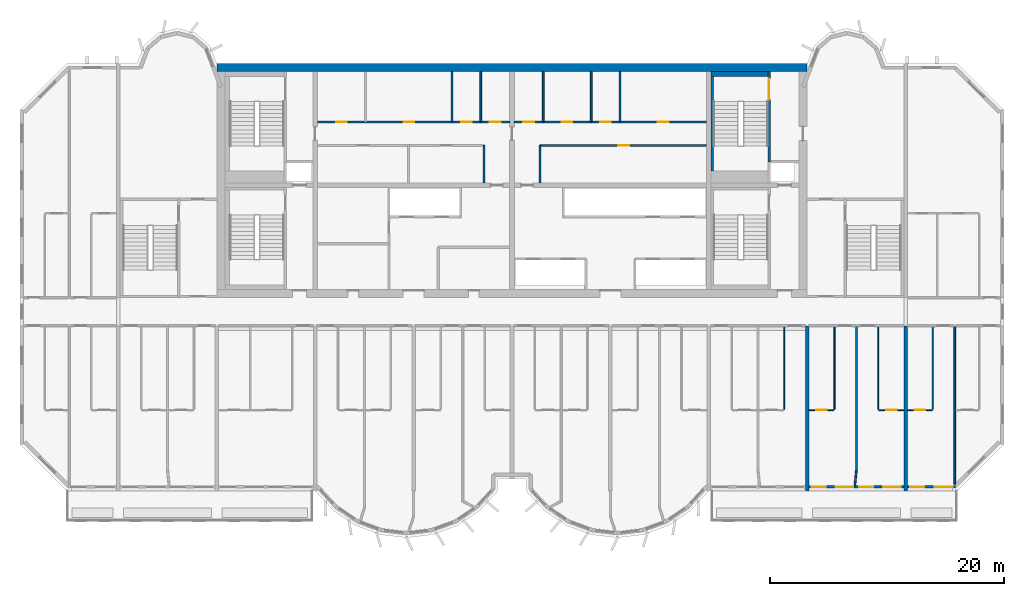
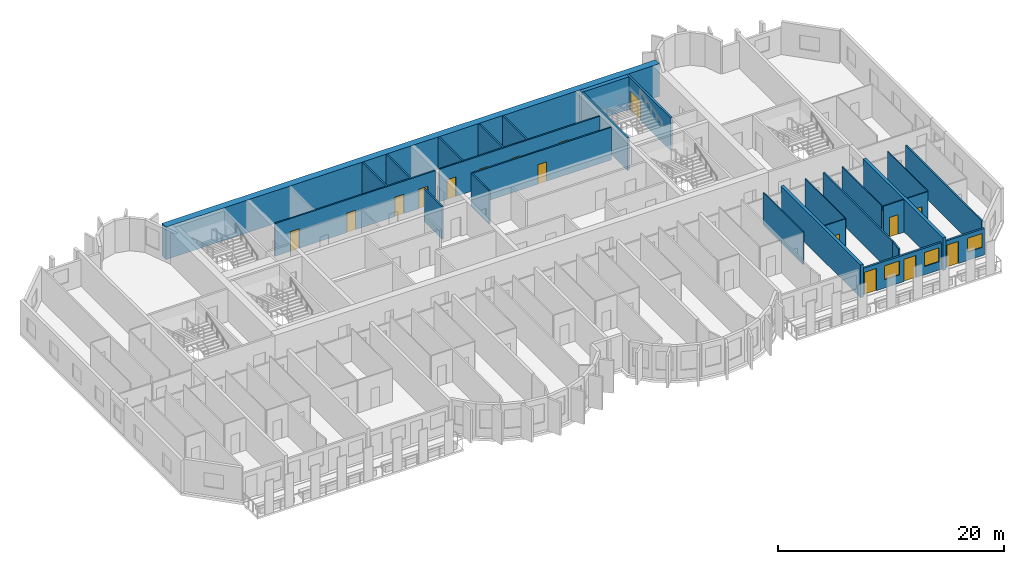
# One storey, part 8 of 13: 28 walls, 16 doors, 3 windows, 19 openings.
"""IFC4 building model written with IfcOpenShell, lengths in metres."""

from ifc_helpers import new_model, si_unit, direction, frame, frame_2d, origin, place, context, subcontext, project, spatial, rectangle, extrude, source, transform, mapped, material, layer, layer_set, type_object, element, fill, save


model = new_model("IFC4")

# Units and contexts
model_context = context("Model", 3, precision=1e-05, world=origin(), true_north=direction((0.0, 1.0)))
body_context = subcontext(model_context, "Body", "Model", "MODEL_VIEW")
ifc_project = project(units=[si_unit("LENGTHUNIT", "METRE"), si_unit("AREAUNIT", "SQUARE_METRE"), si_unit("VOLUMEUNIT", "CUBIC_METRE"), si_unit("PLANEANGLEUNIT", "RADIAN"), si_unit("MASSUNIT", "GRAM", prefix="KILO")], contexts=[model_context])

# Site, building, storey
site_placement = place(None, origin())
site = spatial("IfcSite", under=ifc_project, at=site_placement, CompositionType="ELEMENT")
building_placement = place(site_placement, origin())
building = spatial("IfcBuilding", under=site, at=building_placement, Name="Vanashikhar Sky Hotel", CompositionType="ELEMENT")
storey_placement = place(building_placement, frame((0.0, 0.0, 174.39990234375)))
storey = spatial("IfcBuildingStorey", under=building, at=storey_placement, Name="L42", CompositionType="ELEMENT", Elevation=174.39990234375)

# Walls
ifc_material_1 = material(Name="Concrete M60", Category="concrete")
ifc_layer_1 = layer(ifc_material_1, 0.699951171875)
ifc_layer_set_1 = layer_set([ifc_layer_1], Name="RC core shell wall 700 Concrete M60")
wall_type_1 = type_object("IfcWallType", Name="RC core shell wall 700 Concrete M60", PredefinedType="SHEAR", material=ifc_layer_set_1)
shared_shape_1 = source(origin(), body_context, "Body", "SweptSolid", [
    extrude(rectangle(XDim=50.400146484375, YDim=0.699951171875, at=frame_2d((25.2001953125, 0.0))), origin(), (0.0, 0.0, 1.0), 3.52001953125),
])
wall_1_placement = place(storey_placement, frame((25.199951171875, 41.64990234375, 0.0), z_axis=(0.0, 0.0, 1.0), x_axis=(1.0, 0.0, 0.0)))
element("IfcWall", 1, at=wall_1_placement, inside=storey, type_object=wall_type_1, Name="KW-L42-KN", PredefinedType="SHEAR", context=body_context, shape_type="MappedRepresentation", body=[
    mapped(shared_shape_1, transform((0.0, 0.0, 0.0), scale=1.0)),
])
ifc_layer_2 = layer(ifc_material_1, 0.300048828125)
ifc_layer_set_2 = layer_set([ifc_layer_2], Name="RC shear wall 300 Concrete M60")
wall_type_2 = type_object("IfcWallType", Name="RC shear wall 300 Concrete M60", PredefinedType="SHEAR", material=ifc_layer_set_2)
shared_shape_2 = source(origin(), body_context, "Body", "SweptSolid", [
    extrude(rectangle(XDim=14.10009765625, YDim=0.300048828125, at=frame_2d((7.050048828125, 0.0))), origin(), (0.0, 0.0, 1.0), 3.52001953125),
])
for number, where, z_axis, x_axis, name in (
    (2, (75.60009765625, 5.5, 0.0), (0.0, 0.0, 1.0), (0.0, 1.0, 0.0), "CW-L42-XW10-1"),
    (3, (84.0, 5.5, 0.0), (0.0, 0.0, 1.0), (0.0, 1.0, 0.0), "CW-L42-XW11-1"),
):
    element("IfcWall", number, at=place(storey_placement, frame(where, z_axis=z_axis, x_axis=x_axis)), inside=storey, type_object=wall_type_2, Name=name, PredefinedType="SHEAR", context=body_context, shape_type="MappedRepresentation", body=[
        mapped(shared_shape_2, transform((0.0, 0.0, 0.0), scale=1.0)),
    ])

# Wall, openings, window, door
ifc_material_2 = material(Name="Concrete M50", Category="concrete")
ifc_layer_3 = layer(ifc_material_2, 0.199951171875)
ifc_layer_set_3 = layer_set([ifc_layer_3], Name="Front window wall 200")
wall_type_3 = type_object("IfcWallType", Name="Front window wall 200", PredefinedType="SOLIDWALL", material=ifc_layer_set_3)
shared_shape_3 = source(origin(), body_context, "Body", "SweptSolid", [
    extrude(rectangle(XDim=4.10498046875, YDim=0.199951171875, at=frame_2d((2.052490234375, 0.0))), origin(), (0.0, 0.0, 1.0), 2.8701171875),
])
wall_2_placement = place(storey_placement, frame((84.14990234375, 5.85009765625, 0.0), z_axis=(0.0, 0.0, 1.0), x_axis=(1.0, 0.0, 0.0)))
wall_2 = element("IfcWall", 4, at=wall_2_placement, inside=storey, type_object=wall_type_3, Name="Front window wall", PredefinedType="SOLIDWALL", context=body_context, shape_type="MappedRepresentation", body=[
    mapped(shared_shape_3, transform((0.0, 0.0, 0.0), scale=1.0)),
])
shared_shape_4 = source(origin(), body_context, "Body", "SweptSolid", [
    extrude(rectangle(XDim=1.199951171875, YDim=2.39990234375, at=frame_2d((0.60009765625, 1.199951171875))), frame((0.0, 0.10986328125, 0.0), z_axis=(0.0, -1.0, 0.0), x_axis=(1.0, 0.0, 0.0)), (0.0, 0.0, 1.0), 0.219970703125),
])
opening_1_placement = place(wall_2_placement, frame((0.25, 0.0, 0.0)))
opening_1 = element("IfcOpeningElement", 5, at=opening_1_placement, cuts=wall_2, Name="Opening BD-10", PredefinedType="OPENING", context=body_context, shape_type="MappedRepresentation", body=[
    mapped(shared_shape_4, transform((0.0, 0.0, 0.0), scale=1.0)),
])
shared_shape_5 = source(origin(), body_context, "Body", "SweptSolid", [
    extrude(rectangle(XDim=1.5, YDim=1.5, at=frame_2d((0.75, 0.75))), frame((0.0, 0.10986328125, 0.0), z_axis=(0.0, -1.0, 0.0), x_axis=(1.0, 0.0, 0.0)), (0.0, 0.0, 1.0), 0.219970703125),
])
opening_2_placement = place(wall_2_placement, frame((2.35498046875, 0.0, 0.89990234375)))
opening_2 = element("IfcOpeningElement", 6, at=opening_2_placement, cuts=wall_2, Name="Opening WN-1", PredefinedType="OPENING", context=body_context, shape_type="MappedRepresentation", body=[
    mapped(shared_shape_5, transform((0.0, 0.0, 0.0), scale=1.0)),
])
ifc_material_3 = material(Name="Glass", Category="glass")
window_type = type_object("IfcWindowType", Name="Window 1500 x 1500", PartitioningType="SINGLE_PANEL", PredefinedType="WINDOW", material=ifc_material_3)
shared_shape_6 = source(origin(), body_context, "Body", "SweptSolid", [
    extrude(rectangle(XDim=1.5, YDim=1.5, at=frame_2d((0.75, 0.75))), frame((0.0, 0.030029296875, 0.0), z_axis=(0.0, -1.0, 0.0), x_axis=(1.0, 0.0, 0.0)), (0.0, 0.0, 1.0), 0.06005859375),
])
window_1_placement = place(opening_2_placement, origin())
window_1 = element("IfcWindow", 7, at=window_1_placement, inside=storey, type_object=window_type, Name="Window WN-1", OverallHeight=1.5, OverallWidth=1.5, PartitioningType="SINGLE_PANEL", PredefinedType="WINDOW", context=body_context, shape_type="MappedRepresentation", body=[
    mapped(shared_shape_6, transform((0.0, 0.0, 0.0), scale=1.0)),
])
fill(opening_2, window_1)
ifc_material_4 = material(Name="Aluminium", Category="aluminium")
door_type_1 = type_object("IfcDoorType", Name="Balcony sliding door 1200 x 2400", OperationType="NOTDEFINED", PredefinedType="DOOR", material=ifc_material_4)
shared_shape_7 = source(origin(), body_context, "Body", "SweptSolid", [
    extrude(rectangle(XDim=1.199951171875, YDim=2.39990234375, at=frame_2d((0.60009765625, 1.199951171875))), frame((0.0, 0.02490234375, 0.0), z_axis=(0.0, -1.0, 0.0), x_axis=(1.0, 0.0, 0.0)), (0.0, 0.0, 1.0), 0.050048828125),
])
door_1_placement = place(opening_1_placement, origin())
door_1 = element("IfcDoor", 8, at=door_1_placement, inside=storey, type_object=door_type_1, Name="Balcony sliding door", OperationType="SLIDING_TO_RIGHT", OverallHeight=2.39990234375, OverallWidth=1.199951171875, PredefinedType="DOOR", context=body_context, shape_type="MappedRepresentation", body=[
    mapped(shared_shape_7, transform((0.0, 0.0, 0.0), scale=1.0)),
])
fill(opening_1, door_1)

# Wall, openings, windows, doors
shared_shape_8 = source(origin(), body_context, "Body", "SweptSolid", [
    extrude(rectangle(XDim=8.10009765625, YDim=0.199951171875, at=frame_2d((4.050048828125, 0.0))), origin(), (0.0, 0.0, 1.0), 2.8701171875),
])
wall_3_placement = place(storey_placement, frame((75.75, 5.85009765625, 0.0), z_axis=(0.0, 0.0, 1.0), x_axis=(1.0, 0.0, 0.0)))
wall_3 = element("IfcWall", 9, at=wall_3_placement, inside=storey, type_object=wall_type_3, Name="Front window wall", PredefinedType="SOLIDWALL", context=body_context, shape_type="MappedRepresentation", body=[
    mapped(shared_shape_8, transform((0.0, 0.0, 0.0), scale=1.0)),
])
opening_3_placement = place(wall_3_placement, frame((0.25, 0.0, 0.0)))
opening_3 = element("IfcOpeningElement", 10, at=opening_3_placement, cuts=wall_3, Name="Opening BD-08", PredefinedType="OPENING", context=body_context, shape_type="MappedRepresentation", body=[
    mapped(shared_shape_4, transform((0.0, 0.0, 0.0), scale=1.0)),
])
opening_4_placement = place(wall_3_placement, frame((2.300048828125, 0.0, 0.89990234375)))
opening_4 = element("IfcOpeningElement", 11, at=opening_4_placement, cuts=wall_3, Name="Opening WN-1", PredefinedType="OPENING", context=body_context, shape_type="MappedRepresentation", body=[
    mapped(shared_shape_5, transform((0.0, 0.0, 0.0), scale=1.0)),
])
opening_5_placement = place(wall_3_placement, frame((4.300048828125, 0.0, 0.0)))
opening_5 = element("IfcOpeningElement", 12, at=opening_5_placement, cuts=wall_3, Name="Opening BD-09", PredefinedType="OPENING", context=body_context, shape_type="MappedRepresentation", body=[
    mapped(shared_shape_4, transform((0.0, 0.0, 0.0), scale=1.0)),
])
opening_6_placement = place(wall_3_placement, frame((6.35009765625, 0.0, 0.89990234375)))
opening_6 = element("IfcOpeningElement", 13, at=opening_6_placement, cuts=wall_3, Name="Opening WN-1", PredefinedType="OPENING", context=body_context, shape_type="MappedRepresentation", body=[
    mapped(shared_shape_5, transform((0.0, 0.0, 0.0), scale=1.0)),
])
window_2_placement = place(opening_4_placement, origin())
window_2 = element("IfcWindow", 14, at=window_2_placement, inside=storey, type_object=window_type, Name="Window WN-1", OverallHeight=1.5, OverallWidth=1.5, PartitioningType="SINGLE_PANEL", PredefinedType="WINDOW", context=body_context, shape_type="MappedRepresentation", body=[
    mapped(shared_shape_6, transform((0.0, 0.0, 0.0), scale=1.0)),
])
fill(opening_4, window_2)
window_3_placement = place(opening_6_placement, origin())
window_3 = element("IfcWindow", 15, at=window_3_placement, inside=storey, type_object=window_type, Name="Window WN-1", OverallHeight=1.5, OverallWidth=1.5, PartitioningType="SINGLE_PANEL", PredefinedType="WINDOW", context=body_context, shape_type="MappedRepresentation", body=[
    mapped(shared_shape_6, transform((0.0, 0.0, 0.0), scale=1.0)),
])
fill(opening_6, window_3)
door_2_placement = place(opening_3_placement, origin())
door_2 = element("IfcDoor", 16, at=door_2_placement, inside=storey, type_object=door_type_1, Name="Balcony sliding door", OperationType="SLIDING_TO_RIGHT", OverallHeight=2.39990234375, OverallWidth=1.199951171875, PredefinedType="DOOR", context=body_context, shape_type="MappedRepresentation", body=[
    mapped(shared_shape_7, transform((0.0, 0.0, 0.0), scale=1.0)),
])
fill(opening_3, door_2)
door_3_placement = place(opening_5_placement, origin())
door_3 = element("IfcDoor", 17, at=door_3_placement, inside=storey, type_object=door_type_1, Name="Balcony sliding door", OperationType="SLIDING_TO_LEFT", OverallHeight=2.39990234375, OverallWidth=1.199951171875, PredefinedType="DOOR", context=body_context, shape_type="MappedRepresentation", body=[
    mapped(shared_shape_7, transform((0.0, 0.0, 0.0), scale=1.0)),
])
fill(opening_5, door_3)

# Walls
ifc_layer_4 = layer(ifc_material_2, 0.199951171875)
ifc_layer_set_4 = layer_set([ifc_layer_4], Name="Stair infill wall 200")
wall_type_4 = type_object("IfcWallType", Name="Stair infill wall 200", PredefinedType="SOLIDWALL", material=ifc_layer_set_4)
shared_shape_9 = source(origin(), body_context, "Body", "SweptSolid", [
    extrude(rectangle(XDim=8.099853515625, YDim=0.199951171875, at=frame_2d((4.0498046875, 0.0))), origin(), (0.0, 0.0, 1.0), 3.52001953125),
])
wall_4_placement = place(storey_placement, frame((67.5, 32.800048828125, 0.0), z_axis=(0.0, 0.0, 1.0), x_axis=(0.0, 1.0, 0.0)))
element("IfcWall", 18, at=wall_4_placement, inside=storey, type_object=wall_type_4, Name="Stair infill wall 200", PredefinedType="SOLIDWALL", context=body_context, shape_type="MappedRepresentation", body=[
    mapped(shared_shape_9, transform((0.0, 0.0, 0.0), scale=1.0)),
])
ifc_material_5 = material(Name="Gypsum board partition")
ifc_layer_5 = layer(ifc_material_5, 0.14990234375)
ifc_layer_set_5 = layer_set([ifc_layer_5], Name="Service partition 150")
wall_type_5 = type_object("IfcWallType", Name="Service partition 150", PredefinedType="PARTITIONING", material=ifc_layer_set_5)
shared_shape_10 = source(origin(), body_context, "Body", "SweptSolid", [
    extrude(rectangle(XDim=3.199951171875, YDim=0.14990234375, at=frame_2d((1.60009765625, 0.0))), origin(), (0.0, 0.0, 1.0), 3.52001953125),
])
for number, where, z_axis, x_axis, name in (
    (19, (48.0, 31.800048828125, 0.0), (0.0, 0.0, 1.0), (0.0, 1.0, 0.0), "Service partition 150"),
    (20, (52.800048828125, 31.800048828125, 0.0), (0.0, 0.0, 1.0), (0.0, 1.0, 0.0), "Service partition 150"),
):
    element("IfcWall", number, at=place(storey_placement, frame(where, z_axis=z_axis, x_axis=x_axis)), inside=storey, type_object=wall_type_5, Name=name, PredefinedType="PARTITIONING", context=body_context, shape_type="MappedRepresentation", body=[
        mapped(shared_shape_10, transform((0.0, 0.0, 0.0), scale=1.0)),
    ])

# Wall, opening, door
shared_shape_11 = source(origin(), body_context, "Body", "SweptSolid", [
    extrude(rectangle(XDim=14.199951171875, YDim=0.14990234375, at=frame_2d((7.10009765625, 0.0))), origin(), (0.0, 0.0, 1.0), 3.52001953125),
])
wall_5_placement = place(storey_placement, frame((67.0, 35.0, 0.0), z_axis=(0.0, 0.0, 1.0), x_axis=(-1.0, 0.0, 0.0)))
wall_5 = element("IfcWall", 21, at=wall_5_placement, inside=storey, type_object=wall_type_5, Name="Service partition 150", PredefinedType="PARTITIONING", context=body_context, shape_type="MappedRepresentation", body=[
    mapped(shared_shape_11, transform((0.0, 0.0, 0.0), scale=1.0)),
])
shared_shape_12 = source(origin(), body_context, "Body", "SweptSolid", [
    extrude(rectangle(XDim=0.89990234375, YDim=2.10009765625, at=frame_2d((0.449951171875, 1.050048828125))), frame((0.0, 0.0849609375, 0.0), z_axis=(0.0, -1.0, 0.0), x_axis=(1.0, 0.0, 0.0)), (0.0, 0.0, 1.0), 0.169921875),
])
opening_7_placement = place(wall_5_placement, frame((6.612060546875, 0.0, 0.0)))
opening_7 = element("IfcOpeningElement", 22, at=opening_7_placement, cuts=wall_5, Name="Opening DC-4-A", PredefinedType="OPENING", context=body_context, shape_type="MappedRepresentation", body=[
    mapped(shared_shape_12, transform((0.0, 0.0, 0.0), scale=1.0)),
])
ifc_material_6 = material(Name="Steel", Category="steel")
door_type_2 = type_object("IfcDoorType", Name="Service door 900 FD60", OperationType="NOTDEFINED", PredefinedType="DOOR", material=ifc_material_6)
shared_shape_13 = source(origin(), body_context, "Body", "SweptSolid", [
    extrude(rectangle(XDim=0.89990234375, YDim=2.10009765625, at=frame_2d((0.449951171875, 1.050048828125))), frame((0.0, 0.02490234375, 0.0), z_axis=(0.0, -1.0, 0.0), x_axis=(1.0, 0.0, 0.0)), (0.0, 0.0, 1.0), 0.050048828125),
])
door_4_placement = place(opening_7_placement, origin())
door_4 = element("IfcDoor", 23, at=door_4_placement, inside=storey, type_object=door_type_2, Name="Service door 900 FD60", OperationType="SINGLE_SWING_LEFT", OverallHeight=2.10009765625, OverallWidth=0.89990234375, PredefinedType="DOOR", context=body_context, shape_type="MappedRepresentation", body=[
    mapped(shared_shape_13, transform((0.0, 0.0, 0.0), scale=1.0)),
])
fill(opening_7, door_4)

# Wall, openings, doors
shared_shape_14 = source(origin(), body_context, "Body", "SweptSolid", [
    extrude(rectangle(XDim=16.39990234375, YDim=0.14990234375, at=frame_2d((8.199951171875, 0.0))), origin(), (0.0, 0.0, 1.0), 3.52001953125),
])
wall_6_placement = place(storey_placement, frame((33.800048828125, 37.0, 0.0), z_axis=(0.0, 0.0, 1.0), x_axis=(1.0, 0.0, 0.0)))
wall_6 = element("IfcWall", 24, at=wall_6_placement, inside=storey, type_object=wall_type_5, Name="Service partition 150", PredefinedType="PARTITIONING", context=body_context, shape_type="MappedRepresentation", body=[
    mapped(shared_shape_14, transform((0.0, 0.0, 0.0), scale=1.0)),
])
opening_8_placement = place(wall_6_placement, frame((1.60009765625, 0.0, 0.0)))
opening_8 = element("IfcOpeningElement", 25, at=opening_8_placement, cuts=wall_6, Name="Opening DC-4-A", PredefinedType="OPENING", context=body_context, shape_type="MappedRepresentation", body=[
    mapped(shared_shape_12, transform((0.0, 0.0, 0.0), scale=1.0)),
])
opening_9_placement = place(wall_6_placement, frame((7.340087890625, 0.0, 0.0)))
opening_9 = element("IfcOpeningElement", 26, at=opening_9_placement, cuts=wall_6, Name="Opening DC-4-A", PredefinedType="OPENING", context=body_context, shape_type="MappedRepresentation", body=[
    mapped(shared_shape_12, transform((0.0, 0.0, 0.0), scale=1.0)),
])
opening_10_placement = place(wall_6_placement, frame((12.260009765625, 0.0, 0.0)))
opening_10 = element("IfcOpeningElement", 27, at=opening_10_placement, cuts=wall_6, Name="Opening DC-4-A", PredefinedType="OPENING", context=body_context, shape_type="MappedRepresentation", body=[
    mapped(shared_shape_12, transform((0.0, 0.0, 0.0), scale=1.0)),
])
opening_11_placement = place(wall_6_placement, frame((14.719970703125, 0.0, 0.0)))
opening_11 = element("IfcOpeningElement", 28, at=opening_11_placement, cuts=wall_6, Name="Opening DC-4-A", PredefinedType="OPENING", context=body_context, shape_type="MappedRepresentation", body=[
    mapped(shared_shape_12, transform((0.0, 0.0, 0.0), scale=1.0)),
])
door_5_placement = place(opening_8_placement, origin())
door_5 = element("IfcDoor", 29, at=door_5_placement, inside=storey, type_object=door_type_2, Name="Service door 900 FD60", OperationType="SINGLE_SWING_RIGHT", OverallHeight=2.10009765625, OverallWidth=0.89990234375, PredefinedType="DOOR", context=body_context, shape_type="MappedRepresentation", body=[
    mapped(shared_shape_13, transform((0.0, 0.0, 0.0), scale=1.0)),
])
fill(opening_8, door_5)
door_6_placement = place(opening_9_placement, origin())
door_6 = element("IfcDoor", 30, at=door_6_placement, inside=storey, type_object=door_type_2, Name="Service door 900 FD60", OperationType="SINGLE_SWING_LEFT", OverallHeight=2.10009765625, OverallWidth=0.89990234375, PredefinedType="DOOR", context=body_context, shape_type="MappedRepresentation", body=[
    mapped(shared_shape_13, transform((0.0, 0.0, 0.0), scale=1.0)),
])
fill(opening_9, door_6)
door_7_placement = place(opening_10_placement, origin())
door_7 = element("IfcDoor", 31, at=door_7_placement, inside=storey, type_object=door_type_2, Name="Service door 900 FD60", OperationType="SINGLE_SWING_LEFT", OverallHeight=2.10009765625, OverallWidth=0.89990234375, PredefinedType="DOOR", context=body_context, shape_type="MappedRepresentation", body=[
    mapped(shared_shape_13, transform((0.0, 0.0, 0.0), scale=1.0)),
])
fill(opening_10, door_7)
door_8_placement = place(opening_11_placement, origin())
door_8 = element("IfcDoor", 32, at=door_8_placement, inside=storey, type_object=door_type_2, Name="Service door 900 FD60", OperationType="SINGLE_SWING_LEFT", OverallHeight=2.10009765625, OverallWidth=0.89990234375, PredefinedType="DOOR", context=body_context, shape_type="MappedRepresentation", body=[
    mapped(shared_shape_13, transform((0.0, 0.0, 0.0), scale=1.0)),
])
fill(opening_11, door_8)

wall_7_placement = place(storey_placement, frame((67.0, 37.0, 0.0), z_axis=(0.0, 0.0, 1.0), x_axis=(-1.0, 0.0, 0.0)))
wall_7 = element("IfcWall", 33, at=wall_7_placement, inside=storey, type_object=wall_type_5, Name="Service partition 150", PredefinedType="PARTITIONING", context=body_context, shape_type="MappedRepresentation", body=[
    mapped(shared_shape_14, transform((0.0, 0.0, 0.0), scale=1.0)),
])
opening_12_placement = place(wall_7_placement, frame((3.239990234375, 0.0, 0.0)))
opening_12 = element("IfcOpeningElement", 34, at=opening_12_placement, cuts=wall_7, Name="Opening DC-4-A", PredefinedType="OPENING", context=body_context, shape_type="MappedRepresentation", body=[
    mapped(shared_shape_12, transform((0.0, 0.0, 0.0), scale=1.0)),
])
opening_13_placement = place(wall_7_placement, frame((8.159912109375, 0.0, 0.0)))
opening_13 = element("IfcOpeningElement", 35, at=opening_13_placement, cuts=wall_7, Name="Opening DC-4-A", PredefinedType="OPENING", context=body_context, shape_type="MappedRepresentation", body=[
    mapped(shared_shape_12, transform((0.0, 0.0, 0.0), scale=1.0)),
])
opening_14_placement = place(wall_7_placement, frame((11.43994140625, 0.0, 0.0)))
opening_14 = element("IfcOpeningElement", 36, at=opening_14_placement, cuts=wall_7, Name="Opening DC-4-A", PredefinedType="OPENING", context=body_context, shape_type="MappedRepresentation", body=[
    mapped(shared_shape_12, transform((0.0, 0.0, 0.0), scale=1.0)),
])
opening_15_placement = place(wall_7_placement, frame((14.719970703125, 0.0, 0.0)))
opening_15 = element("IfcOpeningElement", 37, at=opening_15_placement, cuts=wall_7, Name="Opening DC-4-A", PredefinedType="OPENING", context=body_context, shape_type="MappedRepresentation", body=[
    mapped(shared_shape_12, transform((0.0, 0.0, 0.0), scale=1.0)),
])
door_9_placement = place(opening_12_placement, origin())
door_9 = element("IfcDoor", 38, at=door_9_placement, inside=storey, type_object=door_type_2, Name="Service door 900 FD60", OperationType="SINGLE_SWING_RIGHT", OverallHeight=2.10009765625, OverallWidth=0.89990234375, PredefinedType="DOOR", context=body_context, shape_type="MappedRepresentation", body=[
    mapped(shared_shape_13, transform((0.0, 0.0, 0.0), scale=1.0)),
])
fill(opening_12, door_9)
door_10_placement = place(opening_13_placement, origin())
door_10 = element("IfcDoor", 39, at=door_10_placement, inside=storey, type_object=door_type_2, Name="Service door 900 FD60", OperationType="SINGLE_SWING_RIGHT", OverallHeight=2.10009765625, OverallWidth=0.89990234375, PredefinedType="DOOR", context=body_context, shape_type="MappedRepresentation", body=[
    mapped(shared_shape_13, transform((0.0, 0.0, 0.0), scale=1.0)),
])
fill(opening_13, door_10)
door_11_placement = place(opening_14_placement, origin())
door_11 = element("IfcDoor", 40, at=door_11_placement, inside=storey, type_object=door_type_2, Name="Service door 900 FD60", OperationType="SINGLE_SWING_RIGHT", OverallHeight=2.10009765625, OverallWidth=0.89990234375, PredefinedType="DOOR", context=body_context, shape_type="MappedRepresentation", body=[
    mapped(shared_shape_13, transform((0.0, 0.0, 0.0), scale=1.0)),
])
fill(opening_14, door_11)
door_12_placement = place(opening_15_placement, origin())
door_12 = element("IfcDoor", 41, at=door_12_placement, inside=storey, type_object=door_type_2, Name="Service door 900 FD60", OperationType="SINGLE_SWING_RIGHT", OverallHeight=2.10009765625, OverallWidth=0.89990234375, PredefinedType="DOOR", context=body_context, shape_type="MappedRepresentation", body=[
    mapped(shared_shape_13, transform((0.0, 0.0, 0.0), scale=1.0)),
])
fill(opening_15, door_12)

# Walls
shared_shape_15 = source(origin(), body_context, "Body", "SweptSolid", [
    extrude(rectangle(XDim=4.300048828125, YDim=0.14990234375, at=frame_2d((2.14990234375, 0.0))), origin(), (0.0, 0.0, 1.0), 3.52001953125),
])
for number, where, z_axis, x_axis, name in (
    (42, (45.280029296875, 37.0, 0.0), (0.0, 0.0, 1.0), (0.0, 1.0, 0.0), "Service partition 150"),
    (43, (47.739990234375, 37.0, 0.0), (0.0, 0.0, 1.0), (0.0, 1.0, 0.0), "Service partition 150"),
    (44, (59.6201171875, 37.0, 0.0), (0.0, 0.0, 1.0), (0.0, 1.0, 0.0), "Service partition 150"),
    (45, (57.159912109375, 37.0, 0.0), (0.0, 0.0, 1.0), (0.0, 1.0, 0.0), "Service partition 150"),
    (46, (53.06005859375, 37.0, 0.0), (0.0, 0.0, 1.0), (0.0, 1.0, 0.0), "Service partition 150"),
):
    element("IfcWall", number, at=place(storey_placement, frame(where, z_axis=z_axis, x_axis=x_axis)), inside=storey, type_object=wall_type_5, Name=name, PredefinedType="PARTITIONING", context=body_context, shape_type="MappedRepresentation", body=[
        mapped(shared_shape_15, transform((0.0, 0.0, 0.0), scale=1.0)),
    ])

# Wall, opening, door
ifc_layer_6 = layer(ifc_material_2, 0.199951171875)
ifc_layer_set_6 = layer_set([ifc_layer_6], Name="Stair wall 200")
wall_type_6 = type_object("IfcWallType", Name="Stair wall 200", PredefinedType="SOLIDWALL", material=ifc_layer_set_6)
shared_shape_16 = source(origin(), body_context, "Body", "SweptSolid", [
    extrude(rectangle(XDim=7.699951171875, YDim=0.199951171875, at=frame_2d((3.85009765625, 0.0))), origin(), (0.0, 0.0, 1.0), 3.52001953125),
])
wall_8_placement = place(storey_placement, frame((72.35009765625, 33.60009765625, 0.0), z_axis=(0.0, 0.0, 1.0), x_axis=(0.0, 1.0, 0.0)))
wall_8 = element("IfcWall", 47, at=wall_8_placement, inside=storey, type_object=wall_type_6, Name="Stair wall 200", PredefinedType="SOLIDWALL", context=body_context, shape_type="MappedRepresentation", body=[
    mapped(shared_shape_16, transform((0.0, 0.0, 0.0), scale=1.0)),
])
shared_shape_17 = source(origin(), body_context, "Body", "SweptSolid", [
    extrude(rectangle(XDim=1.800048828125, YDim=2.10009765625, at=frame_2d((0.89990234375, 1.050048828125))), frame((0.0, 0.10986328125, 0.0), z_axis=(0.0, -1.0, 0.0), x_axis=(1.0, 0.0, 0.0)), (0.0, 0.0, 1.0), 0.219970703125),
])
opening_16_placement = place(wall_8_placement, frame((5.300048828125, 0.0, 0.0)))
opening_16 = element("IfcOpeningElement", 48, at=opening_16_placement, cuts=wall_8, Name="Opening DC-1-A", PredefinedType="OPENING", context=body_context, shape_type="MappedRepresentation", body=[
    mapped(shared_shape_17, transform((0.0, 0.0, 0.0), scale=1.0)),
])
door_type_3 = type_object("IfcDoorType", Name="Stair door 1800 FD120", OperationType="NOTDEFINED", PredefinedType="DOOR", material=ifc_material_6)
shared_shape_18 = source(origin(), body_context, "Body", "SweptSolid", [
    extrude(rectangle(XDim=1.800048828125, YDim=2.10009765625, at=frame_2d((0.89990234375, 1.050048828125))), frame((0.0, 0.02490234375, 0.0), z_axis=(0.0, -1.0, 0.0), x_axis=(1.0, 0.0, 0.0)), (0.0, 0.0, 1.0), 0.050048828125),
])
door_13_placement = place(opening_16_placement, origin())
door_13 = element("IfcDoor", 49, at=door_13_placement, inside=storey, type_object=door_type_3, Name="Stair door 1800 FD120", OperationType="SINGLE_SWING_RIGHT", OverallHeight=2.10009765625, OverallWidth=1.800048828125, PredefinedType="DOOR", context=body_context, shape_type="MappedRepresentation", body=[
    mapped(shared_shape_18, transform((0.0, 0.0, 0.0), scale=1.0)),
])
fill(opening_16, door_13)

# Walls
ifc_layer_7 = layer(ifc_material_2, 0.39990234375)
ifc_layer_set_7 = layer_set([ifc_layer_7], Name="Stair infill wall 400")
wall_type_7 = type_object("IfcWallType", Name="Stair infill wall 400", PredefinedType="SOLIDWALL", material=ifc_layer_set_7)
shared_shape_19 = source(origin(), body_context, "Body", "SweptSolid", [
    extrude(rectangle(XDim=4.85009765625, YDim=0.39990234375, at=frame_2d((2.425048828125, 0.0))), origin(), (0.0, 0.0, 1.0), 3.52001953125),
])
wall_9_placement = place(storey_placement, frame((67.39990234375, 41.10009765625, 0.0), z_axis=(0.0, 0.0, 1.0), x_axis=(1.0, 0.0, 0.0)))
element("IfcWall", 50, at=wall_9_placement, inside=storey, type_object=wall_type_7, Name="Stair infill wall 400", PredefinedType="SOLIDWALL", context=body_context, shape_type="MappedRepresentation", body=[
    mapped(shared_shape_19, transform((0.0, 0.0, 0.0), scale=1.0)),
])
ifc_material_7 = material(Name="Gypsum plasterboard partition")
ifc_layer_8 = layer(ifc_material_7, 0.10009765625)
ifc_layer_set_8 = layer_set([ifc_layer_8], Name="Wet room partition 100")
wall_type_8 = type_object("IfcWallType", Name="Wet room partition 100", PredefinedType="PARTITIONING", material=ifc_layer_set_8)
shared_shape_20 = source(origin(), body_context, "Body", "SweptSolid", [
    extrude(rectangle(XDim=7.0498046875, YDim=0.10009765625, at=frame_2d((3.52490234375, 0.0))), origin(), (0.0, 0.0, 1.0), 3.52001953125),
])
for number, where, z_axis, x_axis, name in (
    (51, (73.64990234375, 12.47509765625, 0.0), (0.0, 0.0, 1.0), (0.0, 1.0, 0.0), "W-L42-PW051"),
    (52, (77.925048828125, 12.47509765625, 0.0), (0.0, 0.0, 1.0), (0.0, 1.0, 0.0), "W-L42-PW055"),
    (53, (81.675048828125, 12.47509765625, 0.0), (0.0, 0.0, 1.0), (0.0, 1.0, 0.0), "W-L42-PW058"),
    (54, (86.324951171875, 12.47509765625, 0.0), (0.0, 0.0, 1.0), (0.0, 1.0, 0.0), "W-L42-PW062"),
):
    element("IfcWall", number, at=place(storey_placement, frame(where, z_axis=z_axis, x_axis=x_axis)), inside=storey, type_object=wall_type_8, Name=name, PredefinedType="PARTITIONING", context=body_context, shape_type="MappedRepresentation", body=[
        mapped(shared_shape_20, transform((0.0, 0.0, 0.0), scale=1.0)),
    ])
ifc_layer_9 = layer(ifc_material_7, 0.14990234375)
ifc_layer_set_9 = layer_set([ifc_layer_9], Name="Corridor and demising partition 150")
wall_type_9 = type_object("IfcWallType", Name="Corridor and demising partition 150", PredefinedType="PARTITIONING", material=ifc_layer_set_9)
shared_shape_21 = source(origin(), body_context, "Body", "SweptSolid", [
    extrude(rectangle(XDim=13.447021484375, YDim=0.14990234375, at=frame_2d((6.7236328125, 0.0))), origin(), (0.0, 0.0, 1.0), 3.52001953125),
])
wall_10_placement = place(storey_placement, frame((88.199951171875, 6.077880859375, 0.0), z_axis=(0.0, 0.0, 1.0), x_axis=(0.0, 1.0, 0.0)))
element("IfcWall", 55, at=wall_10_placement, inside=storey, type_object=wall_type_9, Name="W-L42-PW068", PredefinedType="PARTITIONING", context=body_context, shape_type="MappedRepresentation", body=[
    mapped(shared_shape_21, transform((0.0, 0.0, 0.0), scale=1.0)),
])
shared_shape_22 = source(origin(), body_context, "Body", "SweptSolid", [
    extrude(rectangle(XDim=12.27490234375, YDim=0.14990234375, at=frame_2d((6.137451171875, 0.0))), origin(), (0.0, 0.0, 1.0), 3.52001953125),
])
wall_11_placement = place(storey_placement, frame((79.800048828125, 7.25, 0.0), z_axis=(0.0, 0.0, 1.0), x_axis=(0.0, 1.0, 0.0)))
element("IfcWall", 56, at=wall_11_placement, inside=storey, type_object=wall_type_9, Name="W-L42-PW061", PredefinedType="PARTITIONING", context=body_context, shape_type="MappedRepresentation", body=[
    mapped(shared_shape_22, transform((0.0, 0.0, 0.0), scale=1.0)),
])
shared_shape_23 = source(origin(), body_context, "Body", "SweptSolid", [
    extrude(rectangle(XDim=1.306640625, YDim=0.14990234375, at=frame_2d((0.6533203125, 0.0))), origin(), (0.0, 0.0, 1.0), 3.52001953125),
])
wall_12_placement = place(storey_placement, frame((79.669921875, 5.949951171875, 0.0), z_axis=(0.0, 0.0, 1.0), x_axis=(0.099596223396, 0.99502793543, 0.0)))
element("IfcWall", 57, at=wall_12_placement, inside=storey, type_object=wall_type_9, Name="W-L42-PW061B0", PredefinedType="PARTITIONING", context=body_context, shape_type="MappedRepresentation", body=[
    mapped(shared_shape_23, transform((0.0, 0.0, 0.0), scale=1.0)),
])

# Wall, opening, door
shared_shape_24 = source(origin(), body_context, "Body", "SweptSolid", [
    extrude(rectangle(XDim=2.125, YDim=0.10009765625, at=frame_2d((1.0625, 0.0))), origin(), (0.0, 0.0, 1.0), 3.52001953125),
])
wall_13_placement = place(storey_placement, frame((75.75, 12.39990234375, 0.0), z_axis=(0.0, 0.0, 1.0), x_axis=(1.0, 0.0, 0.0)))
wall_13 = element("IfcWall", 58, at=wall_13_placement, inside=storey, type_object=wall_type_8, Name="W-L42-PW056", PredefinedType="PARTITIONING", context=body_context, shape_type="MappedRepresentation", body=[
    mapped(shared_shape_24, transform((0.0, 0.0, 0.0), scale=1.0)),
])
shared_shape_25 = source(origin(), body_context, "Body", "SweptSolid", [
    extrude(rectangle(XDim=0.89990234375, YDim=2.10009765625, at=frame_2d((0.449951171875, 1.050048828125))), frame((0.0, 0.06005859375, 0.0), z_axis=(0.0, -1.0, 0.0), x_axis=(1.0, 0.0, 0.0)), (0.0, 0.0, 1.0), 0.1201171875),
])
opening_17_placement = place(wall_13_placement, frame((0.612060546875, 0.0, 0.0)))
opening_17 = element("IfcOpeningElement", 59, at=opening_17_placement, cuts=wall_13, Name="Opening D-02", PredefinedType="OPENING", context=body_context, shape_type="MappedRepresentation", body=[
    mapped(shared_shape_25, transform((0.0, 0.0, 0.0), scale=1.0)),
])
ifc_material_8 = material(Name="Timber door", Category="wood")
door_type_4 = type_object("IfcDoorType", Name="Internal door 900", OperationType="NOTDEFINED", PredefinedType="DOOR", material=ifc_material_8)
door_14_placement = place(opening_17_placement, origin())
door_14 = element("IfcDoor", 60, at=door_14_placement, inside=storey, type_object=door_type_4, Name="D-L42-032", OperationType="SINGLE_SWING_RIGHT", OverallHeight=2.10009765625, OverallWidth=0.89990234375, PredefinedType="DOOR", context=body_context, shape_type="MappedRepresentation", body=[
    mapped(shared_shape_13, transform((0.0, 0.0, 0.0), scale=1.0)),
])
fill(opening_17, door_14)

wall_14_placement = place(storey_placement, frame((81.72509765625, 12.39990234375, 0.0), z_axis=(0.0, 0.0, 1.0), x_axis=(1.0, 0.0, 0.0)))
wall_14 = element("IfcWall", 61, at=wall_14_placement, inside=storey, type_object=wall_type_8, Name="W-L42-PW059", PredefinedType="PARTITIONING", context=body_context, shape_type="MappedRepresentation", body=[
    mapped(shared_shape_24, transform((0.0, 0.0, 0.0), scale=1.0)),
])
opening_18_placement = place(wall_14_placement, frame((0.612060546875, 0.0, 0.0)))
opening_18 = element("IfcOpeningElement", 62, at=opening_18_placement, cuts=wall_14, Name="Opening D-02", PredefinedType="OPENING", context=body_context, shape_type="MappedRepresentation", body=[
    mapped(shared_shape_25, transform((0.0, 0.0, 0.0), scale=1.0)),
])
door_15_placement = place(opening_18_placement, origin())
door_15 = element("IfcDoor", 63, at=door_15_placement, inside=storey, type_object=door_type_4, Name="D-L42-034", OperationType="SINGLE_SWING_LEFT", OverallHeight=2.10009765625, OverallWidth=0.89990234375, PredefinedType="DOOR", context=body_context, shape_type="MappedRepresentation", body=[
    mapped(shared_shape_13, transform((0.0, 0.0, 0.0), scale=1.0)),
])
fill(opening_18, door_15)

wall_15_placement = place(storey_placement, frame((84.14990234375, 12.39990234375, 0.0), z_axis=(0.0, 0.0, 1.0), x_axis=(1.0, 0.0, 0.0)))
wall_15 = element("IfcWall", 64, at=wall_15_placement, inside=storey, type_object=wall_type_8, Name="W-L42-PW063", PredefinedType="PARTITIONING", context=body_context, shape_type="MappedRepresentation", body=[
    mapped(shared_shape_24, transform((0.0, 0.0, 0.0), scale=1.0)),
])
opening_19_placement = place(wall_15_placement, frame((0.612060546875, 0.0, 0.0)))
opening_19 = element("IfcOpeningElement", 65, at=opening_19_placement, cuts=wall_15, Name="Opening D-02", PredefinedType="OPENING", context=body_context, shape_type="MappedRepresentation", body=[
    mapped(shared_shape_25, transform((0.0, 0.0, 0.0), scale=1.0)),
])
door_16_placement = place(opening_19_placement, origin())
door_16 = element("IfcDoor", 66, at=door_16_placement, inside=storey, type_object=door_type_4, Name="D-L42-036", OperationType="SINGLE_SWING_RIGHT", OverallHeight=2.10009765625, OverallWidth=0.89990234375, PredefinedType="DOOR", context=body_context, shape_type="MappedRepresentation", body=[
    mapped(shared_shape_13, transform((0.0, 0.0, 0.0), scale=1.0)),
])
fill(opening_19, door_16)

save(model, "model.ifc")
